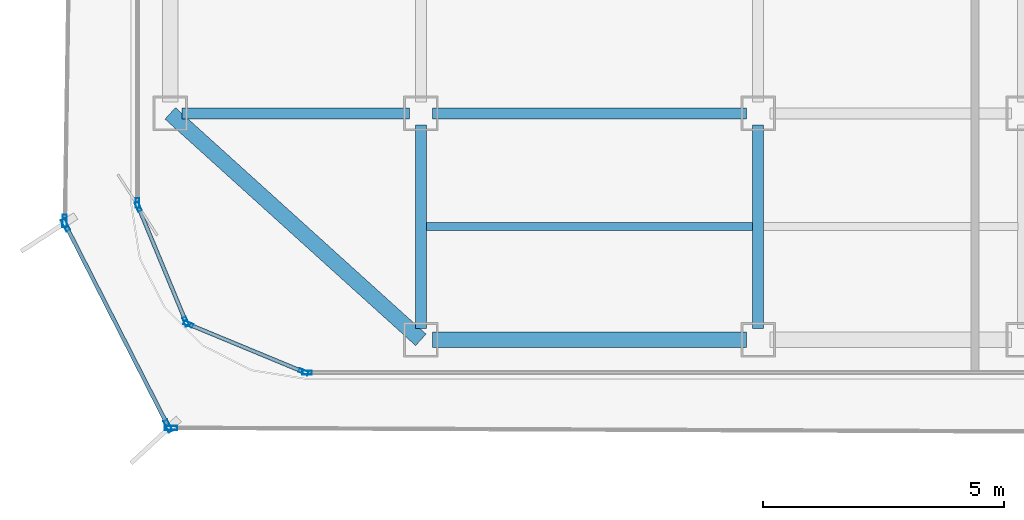
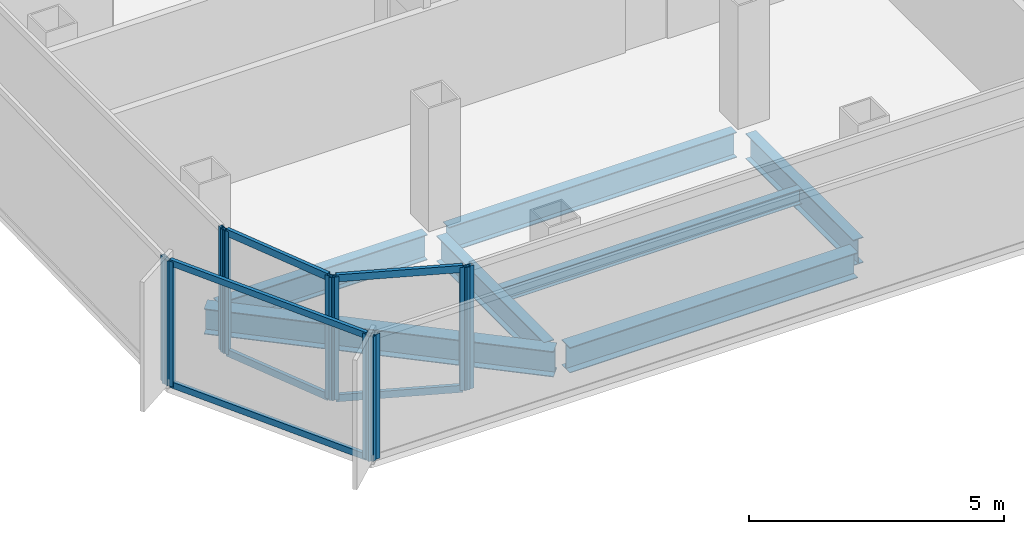
# One storey, part 2 of 15: 16 members, 7 beams, 7 elements without a shape of their own.
"""IFC4 building model written with IfcOpenShell, lengths in metres."""

from ifc_helpers import new_model, si_unit, direction, frame, origin, origin_2d, place, context, subcontext, project, spatial, hollow_rectangle, i_section, extrude, source, transform, mapped, material, layer, layer_set, material_profile, profile_set, type_object, element, aggregate, save


model = new_model("IFC4")

# Units and contexts
model_context = context("Model", 3, precision=1e-05, world=origin(), true_north=direction((0.0, 1.0)))
body_context = subcontext(model_context, "Body", "Model", "MODEL_VIEW")
ifc_project = project(units=[si_unit("LENGTHUNIT", "METRE"), si_unit("AREAUNIT", "SQUARE_METRE"), si_unit("VOLUMEUNIT", "CUBIC_METRE"), si_unit("PLANEANGLEUNIT", "RADIAN"), si_unit("MASSUNIT", "GRAM", prefix="KILO")], contexts=[model_context])

# Site, building, storey
site_placement = place(None, origin())
site = spatial("IfcSite", under=ifc_project, at=site_placement, CompositionType="ELEMENT")
building_placement = place(site_placement, origin())
building = spatial("IfcBuilding", under=site, at=building_placement, Name="Kolveth Station Tower", CompositionType="ELEMENT")
storey_placement = place(building_placement, frame((0.0, 0.0, 193.199951171875)))
storey = spatial("IfcBuildingStorey", under=building, at=storey_placement, Name="L54", CompositionType="ELEMENT", Elevation=193.199951171875)

# Beams
ifc_material_1 = material(Name="Steel S355", Category="steel")
ifc_material_profile_1 = material_profile(ifc_material_1, i_section(OverallWidth=0.323974609375, OverallDepth=0.611083984375, WebThickness=0.0126953125, FlangeThickness=0.01904296875, at=origin_2d()), Name="W610x155")
ifc_profile_set_1 = profile_set([ifc_material_profile_1], Name="Steel S355")
beam_type_1 = type_object("IfcBeamType", Name="Beam_SP2", PredefinedType="SPANDREL", material=ifc_profile_set_1)
shared_shape_1 = source(origin(), body_context, "Body", "SweptSolid", [
    extrude(i_section(OverallWidth=0.323974609375, OverallDepth=0.611083984375, WebThickness=0.0126953125, FlangeThickness=0.01904296875, at=origin_2d()), origin(), (0.0, 0.0, 1.0), 7.00927734375),
])
beam_1_placement = place(storey_placement, frame((0.800048828125, 5.5, -0.555419921875), z_axis=(0.741874009795, -0.670539300557, 0.0), x_axis=(0.670539300557, 0.741874009795, 0.0)))
element("IfcBeam", 1, at=beam_1_placement, inside=storey, type_object=beam_type_1, Name="L54 Corner Edge Girder BM-L54-CNR-SW", PredefinedType="SPANDREL", context=body_context, shape_type="MappedRepresentation", body=[
    mapped(shared_shape_1, transform((0.0, 0.0, 0.0), x_axis=(1.0, 0.0, 0.0), y_axis=(0.0, 1.0, 0.0), z_axis=(0.0, 0.0, 1.0), scale=1.0)),
])
shared_shape_2 = source(origin(), body_context, "Body", "SweptSolid", [
    extrude(i_section(OverallWidth=0.323974609375, OverallDepth=0.611083984375, WebThickness=0.0126953125, FlangeThickness=0.01904296875, at=origin_2d()), origin(), (0.0, 0.0, 1.0), 6.52001953125),
])
beam_2_placement = place(storey_placement, frame((6.239990234375, 0.800048828125, -0.555419921875), z_axis=(1.0, 0.0, 0.0), x_axis=(0.0, 1.0, 0.0)))
element("IfcBeam", 2, at=beam_2_placement, inside=storey, type_object=beam_type_1, Name="L54 Perimeter Spandrel BM-L54-PS-1", PredefinedType="SPANDREL", context=body_context, shape_type="MappedRepresentation", body=[
    mapped(shared_shape_2, transform((0.0, 0.0, 0.0), x_axis=(1.0, 0.0, 0.0), y_axis=(0.0, 1.0, 0.0), z_axis=(0.0, 0.0, 1.0), scale=1.0)),
])
ifc_material_profile_2 = material_profile(ifc_material_1, i_section(OverallWidth=0.22900390625, OverallDepth=0.612060546875, WebThickness=0.011962890625, FlangeThickness=0.01953125, at=origin_2d()), Name="W610x125")
ifc_profile_set_2 = profile_set([ifc_material_profile_2], Name="Steel S355")
beam_type_2 = type_object("IfcBeamType", Name="Beam_B5", PredefinedType="BEAM", material=ifc_profile_set_2)
shared_shape_3 = source(origin(), body_context, "Body", "SweptSolid", [
    extrude(i_section(OverallWidth=0.22900390625, OverallDepth=0.612060546875, WebThickness=0.011962890625, FlangeThickness=0.01953125, at=origin_2d()), origin(), (0.0, 0.0, 1.0), 4.719970703125),
])
beam_3_placement = place(storey_placement, frame((1.0400390625, 5.5, -0.555908203125), z_axis=(1.0, 0.0, 0.0), x_axis=(0.0, 1.0, 0.0)))
element("IfcBeam", 3, at=beam_3_placement, inside=storey, type_object=beam_type_2, Name="L54 Primary Girder BM-L54-GY55-1", PredefinedType="BEAM", context=body_context, shape_type="MappedRepresentation", body=[
    mapped(shared_shape_3, transform((0.0, 0.0, 0.0), x_axis=(1.0, 0.0, 0.0), y_axis=(0.0, 1.0, 0.0), z_axis=(0.0, 0.0, 1.0), scale=1.0)),
])
shared_shape_4 = source(origin(), body_context, "Body", "SweptSolid", [
    extrude(i_section(OverallWidth=0.22900390625, OverallDepth=0.612060546875, WebThickness=0.011962890625, FlangeThickness=0.01953125, at=origin_2d()), origin(), (0.0, 0.0, 1.0), 6.52001953125),
])
beam_4_placement = place(storey_placement, frame((6.239990234375, 5.5, -0.555908203125), z_axis=(1.0, 0.0, 0.0), x_axis=(0.0, 1.0, 0.0)))
element("IfcBeam", 4, at=beam_4_placement, inside=storey, type_object=beam_type_2, Name="L54 Primary Girder BM-L54-GY55-2", PredefinedType="BEAM", context=body_context, shape_type="MappedRepresentation", body=[
    mapped(shared_shape_4, transform((0.0, 0.0, 0.0), x_axis=(1.0, 0.0, 0.0), y_axis=(0.0, 1.0, 0.0), z_axis=(0.0, 0.0, 1.0), scale=1.0)),
])
shared_shape_5 = source(origin(), body_context, "Body", "SweptSolid", [
    extrude(i_section(OverallWidth=0.22900390625, OverallDepth=0.612060546875, WebThickness=0.011962890625, FlangeThickness=0.01953125, at=origin_2d()), origin(), (0.0, 0.0, 1.0), 4.219970703125),
])
for number, where, z_axis, x_axis, name in (
    (5, (6.0, 1.0400390625, -0.555908203125), (0.0, 1.0, 0.0), (-1.0, 0.0, 0.0), "L54 Primary Girder BM-L54-GX60-1"),
    (6, (13.0, 1.0400390625, -0.555908203125), (0.0, 1.0, 0.0), (-1.0, 0.0, 0.0), "L54 Primary Girder BM-L54-GX130-1"),
):
    element("IfcBeam", number, at=place(storey_placement, frame(where, z_axis=z_axis, x_axis=x_axis)), inside=storey, type_object=beam_type_2, Name=name, PredefinedType="BEAM", context=body_context, shape_type="MappedRepresentation", body=[
        mapped(shared_shape_5, transform((0.0, 0.0, 0.0), x_axis=(1.0, 0.0, 0.0), y_axis=(0.0, 1.0, 0.0), z_axis=(0.0, 0.0, 1.0), scale=1.0)),
    ])
ifc_material_profile_3 = material_profile(ifc_material_1, i_section(OverallWidth=0.1708984375, OverallDepth=0.35205078125, WebThickness=0.0068359375, FlangeThickness=0.009765625, at=origin_2d()), Name="W360x44")
ifc_profile_set_3 = profile_set([ifc_material_profile_3], Name="Steel S355")
beam_type_3 = type_object("IfcBeamType", Name="Beam_J2", PredefinedType="JOIST", material=ifc_profile_set_3)
shared_shape_6 = source(origin(), body_context, "Body", "SweptSolid", [
    extrude(i_section(OverallWidth=0.1708984375, OverallDepth=0.35205078125, WebThickness=0.0068359375, FlangeThickness=0.009765625, at=origin_2d()), origin(), (0.0, 0.0, 1.0), 6.77490234375),
])
beam_5_placement = place(storey_placement, frame((6.112548828125, 3.14990234375, -0.426025390625), z_axis=(1.0, 0.0, 0.0), x_axis=(0.0, 1.0, 0.0)))
element("IfcBeam", 7, at=beam_5_placement, inside=storey, type_object=beam_type_3, Name="L54 Secondary Joist JST-L54-2-1", PredefinedType="JOIST", context=body_context, shape_type="MappedRepresentation", body=[
    mapped(shared_shape_6, transform((0.0, 0.0, 0.0), x_axis=(1.0, 0.0, 0.0), y_axis=(0.0, 1.0, 0.0), z_axis=(0.0, 0.0, 1.0), scale=1.0)),
])

# Curtain wall, member
ifc_material_2 = material(Name="Aluminium 6063-T6 and low-E dark glass", Category="aluminium")
ifc_layer_1 = layer(ifc_material_2, 0.18994140625)
ifc_layer_set_1 = layer_set([ifc_layer_1], Name="Aluminium 6063-T6 and low-E dark glass")
curtain_wall_type_1 = type_object("IfcCurtainWallType", Name="CurtainWall_CW-Z2", PredefinedType="NOTDEFINED", material=ifc_layer_set_1)
curtain_wall_1_placement = place(storey_placement, origin())
curtain_wall_1 = element("IfcCurtainWall", 8, at=curtain_wall_1_placement, inside=storey, type_object=curtain_wall_type_1, Name="L54 Inner Thermal Curtain Wall 9", PredefinedType="NOTDEFINED")
ifc_material_3 = material(Name="Black anodized aluminium 6063-T6", Category="aluminium")
ifc_material_profile_4 = material_profile(ifc_material_3, hollow_rectangle(XDim=0.080078125, YDim=0.199951171875, WallThickness=0.0048828125, at=origin_2d()), Name="ALU-80x200x5")
ifc_profile_set_4 = profile_set([ifc_material_profile_4], Name="Black anodized aluminium 6063-T6")
member_type_1 = type_object("IfcMemberType", Name="Mullion_ML2", PredefinedType="MULLION", material=ifc_profile_set_4)
shared_shape_7 = source(origin(), body_context, "Body", "SweptSolid", [
    extrude(hollow_rectangle(XDim=0.080078125, YDim=0.199951171875, WallThickness=0.0048828125, at=origin_2d()), origin(), (0.0, 0.0, 1.0), 2.949951171875),
])
member_1_placement = place(storey_placement, frame((0.1201171875, 3.639892578125, 0.0), z_axis=(0.0, 0.0, 1.0), x_axis=(1.0, 0.0, 0.0)))
member_1 = element("IfcMember", 9, at=member_1_placement, type_object=member_type_1, Name="CW-Z2 mullion 2", PredefinedType="MULLION", context=body_context, shape_type="MappedRepresentation", body=[
    mapped(shared_shape_7, transform((0.0, 0.0, 0.0), x_axis=(1.0, 0.0, 0.0), y_axis=(0.0, 1.0, 0.0), z_axis=(0.0, 0.0, 1.0), scale=1.0)),
])
aggregate(curtain_wall_1, [member_1])

# Curtain wall, members
curtain_wall_2_placement = place(storey_placement, origin())
curtain_wall_2 = element("IfcCurtainWall", 10, at=curtain_wall_2_placement, inside=storey, type_object=curtain_wall_type_1, Name="L54 Inner Thermal Curtain Wall 10", PredefinedType="NOTDEFINED")
member_2_placement = place(storey_placement, frame((0.13525390625, 3.56298828125, 0.0), z_axis=(0.0, 0.0, 1.0), x_axis=(0.923873600544, 0.382697753087, 0.0)))
member_2 = element("IfcMember", 11, at=member_2_placement, type_object=member_type_1, Name="CW-Z2 mullion 1", PredefinedType="MULLION", context=body_context, shape_type="MappedRepresentation", body=[
    mapped(shared_shape_7, transform((0.0, 0.0, 0.0), x_axis=(1.0, 0.0, 0.0), y_axis=(0.0, 1.0, 0.0), z_axis=(0.0, 0.0, 1.0), scale=1.0)),
])
member_3_placement = place(storey_placement, frame((1.1240234375, 1.17626953125, 0.0), z_axis=(0.0, 0.0, 1.0), x_axis=(0.923873600544, 0.382697753087, 0.0)))
member_3 = element("IfcMember", 12, at=member_3_placement, type_object=member_type_1, Name="CW-Z2 mullion 2", PredefinedType="MULLION", context=body_context, shape_type="MappedRepresentation", body=[
    mapped(shared_shape_7, transform((0.0, 0.0, 0.0), x_axis=(1.0, 0.0, 0.0), y_axis=(0.0, 1.0, 0.0), z_axis=(0.0, 0.0, 1.0), scale=1.0)),
])

curtain_wall_3_placement = place(storey_placement, origin())
curtain_wall_3 = element("IfcCurtainWall", 13, at=curtain_wall_3_placement, inside=storey, type_object=curtain_wall_type_1, Name="L54 Inner Thermal Curtain Wall 11", PredefinedType="NOTDEFINED")
member_4_placement = place(storey_placement, frame((1.17626953125, 1.1240234375, 0.0), z_axis=(0.0, 0.0, 1.0), x_axis=(0.382697753087, 0.923873600544, 0.0)))
member_4 = element("IfcMember", 14, at=member_4_placement, type_object=member_type_1, Name="CW-Z2 mullion 1", PredefinedType="MULLION", context=body_context, shape_type="MappedRepresentation", body=[
    mapped(shared_shape_7, transform((0.0, 0.0, 0.0), x_axis=(1.0, 0.0, 0.0), y_axis=(0.0, 1.0, 0.0), z_axis=(0.0, 0.0, 1.0), scale=1.0)),
])
member_5_placement = place(storey_placement, frame((3.56298828125, 0.13525390625, 0.0), z_axis=(0.0, 0.0, 1.0), x_axis=(0.382697753087, 0.923873600544, 0.0)))
member_5 = element("IfcMember", 15, at=member_5_placement, type_object=member_type_1, Name="CW-Z2 mullion 2", PredefinedType="MULLION", context=body_context, shape_type="MappedRepresentation", body=[
    mapped(shared_shape_7, transform((0.0, 0.0, 0.0), x_axis=(1.0, 0.0, 0.0), y_axis=(0.0, 1.0, 0.0), z_axis=(0.0, 0.0, 1.0), scale=1.0)),
])

# Curtain wall, member
curtain_wall_4_placement = place(storey_placement, origin())
curtain_wall_4 = element("IfcCurtainWall", 16, at=curtain_wall_4_placement, inside=storey, type_object=curtain_wall_type_1, Name="L54 Inner Thermal Curtain Wall 12", PredefinedType="NOTDEFINED")
member_6_placement = place(storey_placement, frame((3.639892578125, 0.1201171875, 0.0), z_axis=(0.0, 0.0, 1.0), x_axis=(0.0, 1.0, 0.0)))
member_6 = element("IfcMember", 17, at=member_6_placement, type_object=member_type_1, Name="CW-Z2 mullion 1", PredefinedType="MULLION", context=body_context, shape_type="MappedRepresentation", body=[
    mapped(shared_shape_7, transform((0.0, 0.0, 0.0), x_axis=(1.0, 0.0, 0.0), y_axis=(0.0, 1.0, 0.0), z_axis=(0.0, 0.0, 1.0), scale=1.0)),
])
aggregate(curtain_wall_4, [member_6])

ifc_material_4 = material(Name="Black anodized aluminium 6063-T6 and dark solar glass", Category="aluminium")
ifc_layer_2 = layer(ifc_material_4, 0.159912109375)
ifc_layer_set_2 = layer_set([ifc_layer_2], Name="Black anodized aluminium 6063-T6 and dark solar glass")
curtain_wall_type_2 = type_object("IfcCurtainWallType", Name="OUTER SKIN CW-OS", PredefinedType="NOTDEFINED", material=ifc_layer_set_2)
curtain_wall_5_placement = place(storey_placement, origin())
curtain_wall_5 = element("IfcCurtainWall", 18, at=curtain_wall_5_placement, inside=storey, type_object=curtain_wall_type_2, Name="L54 Outer Ventilated Skin Curtain Wall 6", PredefinedType="NOTDEFINED")
ifc_material_profile_5 = material_profile(ifc_material_3, hollow_rectangle(XDim=0.090087890625, YDim=0.260009765625, WallThickness=0.0048828125, at=origin_2d()), Name="ALU-90x260x5")
ifc_profile_set_5 = profile_set([ifc_material_profile_5], Name="Black anodized aluminium 6063-T6")
member_type_2 = type_object("IfcMemberType", Name="FIN MULLION ML-OS", PredefinedType="MULLION", material=ifc_profile_set_5)
shared_shape_8 = source(origin(), body_context, "Body", "SweptSolid", [
    extrude(hollow_rectangle(XDim=0.090087890625, YDim=0.260009765625, WallThickness=0.0048828125, at=origin_2d()), origin(), (0.0, 0.0, 1.0), 2.989990234375),
])
member_7_placement = place(storey_placement, frame((-1.39111328125, 3.26708984375, 0.0), z_axis=(0.0, 0.0, 1.0), x_axis=(0.999886627103, -0.015057653898, 0.0)))
member_7 = element("IfcMember", 19, at=member_7_placement, type_object=member_type_2, Name="CW-OS mullion 2", PredefinedType="MULLION", context=body_context, shape_type="MappedRepresentation", body=[
    mapped(shared_shape_8, transform((0.0, 0.0, 0.0), x_axis=(1.0, 0.0, 0.0), y_axis=(0.0, 1.0, 0.0), z_axis=(0.0, 0.0, 1.0), scale=1.0)),
])
aggregate(curtain_wall_5, [member_7])

# Curtain wall, members
curtain_wall_6_placement = place(storey_placement, origin())
curtain_wall_6 = element("IfcCurtainWall", 20, at=curtain_wall_6_placement, inside=storey, type_object=curtain_wall_type_2, Name="L54 Outer Ventilated Skin Curtain Wall 7", PredefinedType="NOTDEFINED")
member_8_placement = place(storey_placement, frame((-1.371337890625, 3.181884765625, 0.0), z_axis=(0.0, 0.0, 1.0), x_axis=(0.890920449385, 0.454159391479, 0.0)))
member_8 = element("IfcMember", 21, at=member_8_placement, type_object=member_type_2, Name="CW-OS mullion 1", PredefinedType="MULLION", context=body_context, shape_type="MappedRepresentation", body=[
    mapped(shared_shape_8, transform((0.0, 0.0, 0.0), x_axis=(1.0, 0.0, 0.0), y_axis=(0.0, 1.0, 0.0), z_axis=(0.0, 0.0, 1.0), scale=1.0)),
])
member_9_placement = place(storey_placement, frame((0.75439453125, -0.988037109375, 0.0), z_axis=(0.0, 0.0, 1.0), x_axis=(0.890920449385, 0.454159391479, 0.0)))
member_9 = element("IfcMember", 22, at=member_9_placement, type_object=member_type_2, Name="CW-OS mullion 2", PredefinedType="MULLION", context=body_context, shape_type="MappedRepresentation", body=[
    mapped(shared_shape_8, transform((0.0, 0.0, 0.0), x_axis=(1.0, 0.0, 0.0), y_axis=(0.0, 1.0, 0.0), z_axis=(0.0, 0.0, 1.0), scale=1.0)),
])

# Curtain wall, member
curtain_wall_7_placement = place(storey_placement, origin())
curtain_wall_7 = element("IfcCurtainWall", 23, at=curtain_wall_7_placement, inside=storey, type_object=curtain_wall_type_2, Name="L54 Outer Ventilated Skin Curtain Wall 8", PredefinedType="NOTDEFINED")
member_10_placement = place(storey_placement, frame((0.81982421875, -1.0283203125, 0.0), z_axis=(0.0, 0.0, 1.0), x_axis=(0.004304120821, 0.999990737229, 0.0)))
member_10 = element("IfcMember", 24, at=member_10_placement, type_object=member_type_2, Name="CW-OS mullion 1", PredefinedType="MULLION", context=body_context, shape_type="MappedRepresentation", body=[
    mapped(shared_shape_8, transform((0.0, 0.0, 0.0), x_axis=(1.0, 0.0, 0.0), y_axis=(0.0, 1.0, 0.0), z_axis=(0.0, 0.0, 1.0), scale=1.0)),
])
aggregate(curtain_wall_7, [member_10])

# Member
ifc_material_profile_6 = material_profile(ifc_material_3, hollow_rectangle(XDim=0.080078125, YDim=0.169921875, WallThickness=0.0048828125, at=origin_2d()), Name="ALU-80x170x5")
ifc_profile_set_6 = profile_set([ifc_material_profile_6], Name="Black anodized aluminium 6063-T6")
member_type_3 = type_object("IfcMemberType", Name="Transom_TR2", PredefinedType="USERDEFINED", material=ifc_profile_set_6)
shared_shape_9 = source(origin(), body_context, "Body", "SweptSolid", [
    extrude(hollow_rectangle(XDim=0.080078125, YDim=0.169921875, WallThickness=0.0048828125, at=origin_2d()), origin(), (0.0, 0.0, 1.0), 2.50341796875),
])
member_11_placement = place(storey_placement, frame((0.150634765625, 3.526123046875, 0.0400390625), z_axis=(0.382661849723, -0.923888472039, 0.0), x_axis=(0.923888472039, 0.382661849723, 0.0)))
member_11 = element("IfcMember", 25, at=member_11_placement, type_object=member_type_3, Name="CW-Z2 transom 1.1", ObjectType="TRANSOM", PredefinedType="USERDEFINED", context=body_context, shape_type="MappedRepresentation", body=[
    mapped(shared_shape_9, transform((0.0, 0.0, 0.0), x_axis=(1.0, 0.0, 0.0), y_axis=(0.0, 1.0, 0.0), z_axis=(0.0, 0.0, 1.0), scale=1.0)),
])

member_12_placement = place(storey_placement, frame((0.150634765625, 3.526123046875, 2.91015625), z_axis=(0.382661849723, -0.923888472039, 0.0), x_axis=(0.923888472039, 0.382661849723, 0.0)))
member_12 = element("IfcMember", 26, at=member_12_placement, type_object=member_type_3, Name="CW-Z2 transom 1.2", ObjectType="TRANSOM", PredefinedType="USERDEFINED", context=body_context, shape_type="MappedRepresentation", body=[
    mapped(shared_shape_9, transform((0.0, 0.0, 0.0), x_axis=(1.0, 0.0, 0.0), y_axis=(0.0, 1.0, 0.0), z_axis=(0.0, 0.0, 1.0), scale=1.0)),
])

aggregate(curtain_wall_2, [member_2, member_3, member_11, member_12])

member_13_placement = place(storey_placement, frame((1.213134765625, 1.108642578125, 0.0400390625), z_axis=(0.923888472039, -0.382661849723, 0.0), x_axis=(0.382661849723, 0.923888472039, 0.0)))
member_13 = element("IfcMember", 27, at=member_13_placement, type_object=member_type_3, Name="CW-Z2 transom 1.1", ObjectType="TRANSOM", PredefinedType="USERDEFINED", context=body_context, shape_type="MappedRepresentation", body=[
    mapped(shared_shape_9, transform((0.0, 0.0, 0.0), x_axis=(1.0, 0.0, 0.0), y_axis=(0.0, 1.0, 0.0), z_axis=(0.0, 0.0, 1.0), scale=1.0)),
])

member_14_placement = place(storey_placement, frame((1.213134765625, 1.108642578125, 2.91015625), z_axis=(0.923888472039, -0.382661849723, 0.0), x_axis=(0.382661849723, 0.923888472039, 0.0)))
member_14 = element("IfcMember", 28, at=member_14_placement, type_object=member_type_3, Name="CW-Z2 transom 1.2", ObjectType="TRANSOM", PredefinedType="USERDEFINED", context=body_context, shape_type="MappedRepresentation", body=[
    mapped(shared_shape_9, transform((0.0, 0.0, 0.0), x_axis=(1.0, 0.0, 0.0), y_axis=(0.0, 1.0, 0.0), z_axis=(0.0, 0.0, 1.0), scale=1.0)),
])

aggregate(curtain_wall_3, [member_4, member_5, member_13, member_14])

ifc_material_profile_7 = material_profile(ifc_material_3, hollow_rectangle(XDim=0.080078125, YDim=0.14990234375, WallThickness=0.0048828125, at=origin_2d()), Name="ALU-80x150x5")
ifc_profile_set_7 = profile_set([ifc_material_profile_7], Name="Black anodized aluminium 6063-T6")
member_type_4 = type_object("IfcMemberType", Name="Transom_TR-OS", PredefinedType="USERDEFINED", material=ifc_profile_set_7)
shared_shape_10 = source(origin(), body_context, "Body", "SweptSolid", [
    extrude(hollow_rectangle(XDim=0.080078125, YDim=0.14990234375, WallThickness=0.0048828125, at=origin_2d()), origin(), (0.0, 0.0, 1.0), 4.590576171875),
])
member_15_placement = place(storey_placement, frame((-1.350830078125, 3.141845703125, 0.0400390625), z_axis=(0.454177515274, -0.890911210289, 0.0), x_axis=(0.890911210289, 0.454177515274, 0.0)))
member_15 = element("IfcMember", 29, at=member_15_placement, type_object=member_type_4, Name="CW-OS transom 1.1", ObjectType="TRANSOM", PredefinedType="USERDEFINED", context=body_context, shape_type="MappedRepresentation", body=[
    mapped(shared_shape_10, transform((0.0, 0.0, 0.0), x_axis=(1.0, 0.0, 0.0), y_axis=(0.0, 1.0, 0.0), z_axis=(0.0, 0.0, 1.0), scale=1.0)),
])

member_16_placement = place(storey_placement, frame((-1.350830078125, 3.141845703125, 2.949951171875), z_axis=(0.454177515274, -0.890911210289, 0.0), x_axis=(0.890911210289, 0.454177515274, 0.0)))
member_16 = element("IfcMember", 30, at=member_16_placement, type_object=member_type_4, Name="CW-OS transom 1.2", ObjectType="TRANSOM", PredefinedType="USERDEFINED", context=body_context, shape_type="MappedRepresentation", body=[
    mapped(shared_shape_10, transform((0.0, 0.0, 0.0), x_axis=(1.0, 0.0, 0.0), y_axis=(0.0, 1.0, 0.0), z_axis=(0.0, 0.0, 1.0), scale=1.0)),
])

aggregate(curtain_wall_6, [member_8, member_9, member_15, member_16])

save(model, "model.ifc")
